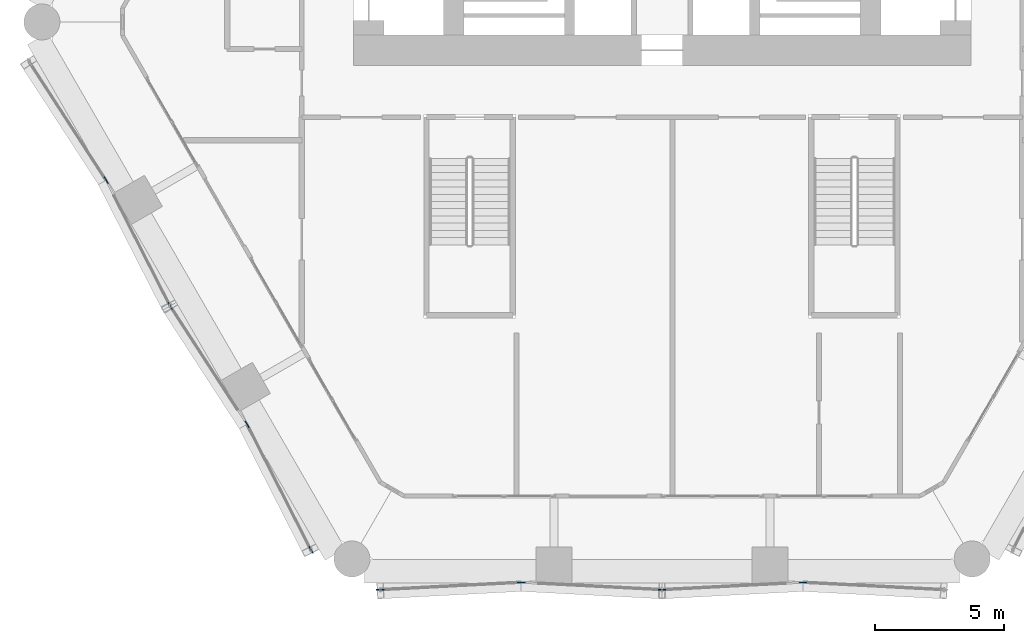
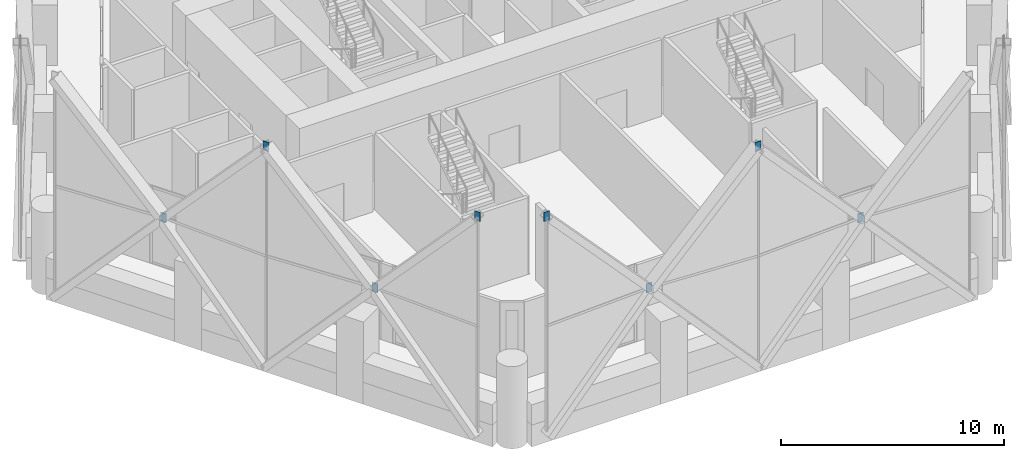
# One storey, part 41 of 46: 8 discrete accessories.
"""IFC4 building model written with IfcOpenShell, lengths in metres."""

from ifc_helpers import new_model, si_unit, direction, frame, origin, origin_2d, place, context, subcontext, project, spatial, rectangle, extrude, material, layer, layer_set, type_object, element, save


model = new_model("IFC4")

# Units and contexts
model_context = context("Model", 3, precision=1e-05, world=origin(), true_north=direction((0.0, 1.0)))
body_context = subcontext(model_context, "Body", "Model", "MODEL_VIEW")
ifc_project = project(units=[si_unit("LENGTHUNIT", "METRE"), si_unit("AREAUNIT", "SQUARE_METRE"), si_unit("VOLUMEUNIT", "CUBIC_METRE"), si_unit("PLANEANGLEUNIT", "RADIAN"), si_unit("MASSUNIT", "GRAM", prefix="KILO")], contexts=[model_context])

# Site, building, storey
site_placement = place(None, origin())
site = spatial("IfcSite", under=ifc_project, at=site_placement, CompositionType="ELEMENT")
building_placement = place(site_placement, origin())
building = spatial("IfcBuilding", under=site, at=building_placement, Name="Ostrander Bayou Hotel Tower", CompositionType="ELEMENT")
storey_placement = place(building_placement, frame((0.0, 0.0, 23.5)))
storey = spatial("IfcBuildingStorey", under=building, at=storey_placement, Name="L05", CompositionType="ELEMENT", Elevation=23.5)

# Discrete accessories
ifc_material = material(Name="Steel ASTM A572 Gr 50", Category="steel")
ifc_layer = layer(ifc_material, 0.030029296875)
ifc_layer_set = layer_set([ifc_layer], Name="GP1 gusset plate 30 mm")
discrete_accessory_type = type_object("IfcDiscreteAccessoryType", Name="GP1 gusset plate 30 mm", PredefinedType="BRACKET", material=ifc_layer_set)
for number, where, z_axis, x_axis, name in (
    (1, (-21.602294921875, -6.14990234375, 5.14990234375), (0.0, 0.0, 1.0), (0.5, -0.866025403784, 0.0), "GP1 gusset plate lat 46"),
    (2, (-19.11328125, -11.034912109375, 11.14990234375), (0.0, 0.0, 1.0), (0.5, -0.866025403784, 0.0), "GP1 gusset plate lat 48"),
    (3, (-16.126953125, -15.63330078125, 5.14990234375), (0.0, 0.0, 1.0), (0.5, -0.866025403784, 0.0), "GP1 gusset plate lat 49"),
    (4, (-13.637939453125, -20.5185546875, 11.14990234375), (0.0, 0.0, 1.0), (0.5, -0.866025403784, 0.0), "GP1 gusset plate lat 50"),
    (5, (-5.475341796875, -21.783203125, 5.14990234375), (0.0, 0.0, 1.0), (1.0, 0.0, 0.0), "GP1 gusset plate lat 51"),
    (6, (-10.95068359375, -22.070068359375, 11.14990234375), (0.0, 0.0, 1.0), (1.0, 0.0, 0.0), "GP1 gusset plate lat 52"),
    (7, (0.0, -22.070068359375, 11.14990234375), (0.0, 0.0, 1.0), (1.0, 0.0, 0.0), "GP1 gusset plate lat 53"),
    (8, (5.475341796875, -21.783203125, 5.14990234375), (0.0, 0.0, 1.0), (1.0, 0.0, 0.0), "GP1 gusset plate lat 54"),
):
    element("IfcDiscreteAccessory", number, at=place(storey_placement, frame(where, z_axis=z_axis, x_axis=x_axis)), inside=storey, type_object=discrete_accessory_type, Name=name, PredefinedType="BRACKET", context=body_context, shape_type="SweptSolid", body=[
        extrude(rectangle(XDim=0.300048828125, YDim=0.030029296875, at=origin_2d()), origin(), (0.0, 0.0, 1.0), 0.5),
    ])

save(model, "model.ifc")
